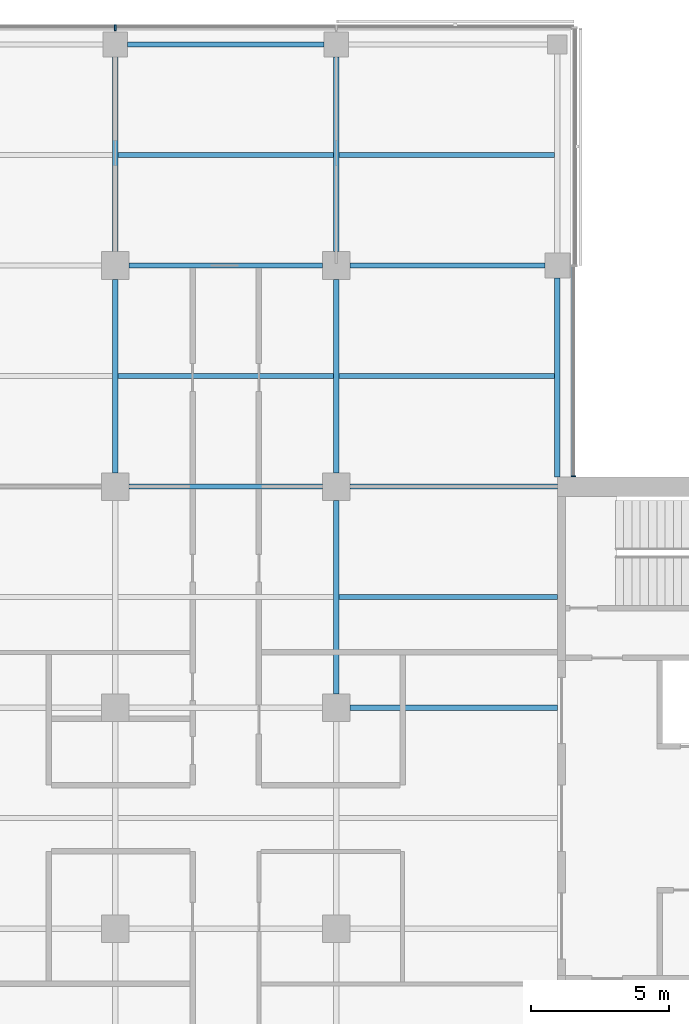
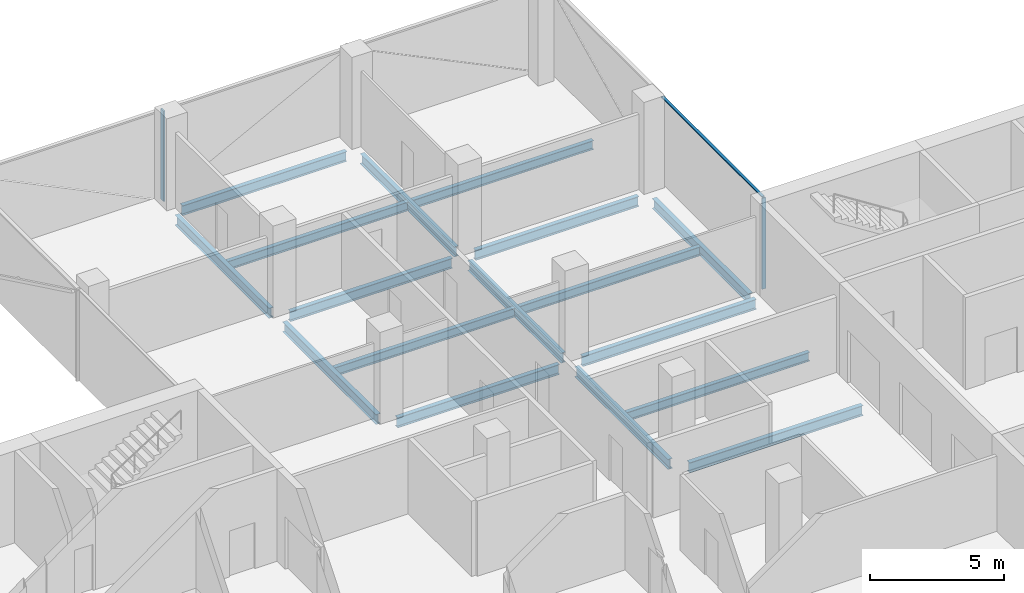
# One storey, part 9 of 22: 17 beams, 3 members, 2 elements without a shape of their own.
"""IFC4 building model written with IfcOpenShell, lengths in metres."""

from ifc_helpers import new_model, si_unit, direction, frame, origin, origin_2d, place, context, subcontext, project, spatial, rectangle, i_section, extrude, material, material_profile, profile_set, type_object, element, aggregate, save


model = new_model("IFC4")

# Units and contexts
model_context = context("Model", 3, precision=1e-05, world=origin(), true_north=direction((0.0, 1.0)))
body_context = subcontext(model_context, "Body", "Model", "MODEL_VIEW")
ifc_project = project(units=[si_unit("LENGTHUNIT", "METRE"), si_unit("AREAUNIT", "SQUARE_METRE"), si_unit("VOLUMEUNIT", "CUBIC_METRE"), si_unit("PLANEANGLEUNIT", "RADIAN"), si_unit("MASSUNIT", "GRAM", prefix="KILO")], contexts=[model_context])

# Site, building, storey
site_placement = place(None, origin())
site = spatial("IfcSite", under=ifc_project, at=site_placement, CompositionType="ELEMENT")
building_placement = place(site_placement, origin())
building = spatial("IfcBuilding", under=site, at=building_placement, Name="Crosswind Convention Tower", CompositionType="ELEMENT")
storey_placement = place(building_placement, frame((0.0, 0.0, 129.5)))
storey = spatial("IfcBuildingStorey", under=building, at=storey_placement, Name="L26", CompositionType="ELEMENT", Elevation=129.5)

# Beams
ifc_material_1 = material(Name="Steel S355", Category="steel")
ifc_material_profile_1 = material_profile(ifc_material_1, i_section(OverallWidth=0.18994140625, OverallDepth=0.45361328125, WebThickness=0.008544921875, FlangeThickness=0.0126953125, FilletRadius=0.01025390625, at=origin_2d()), Name="UB 457x191x67")
ifc_profile_set_1 = profile_set([ifc_material_profile_1], Name="Steel S355")
beam_type_1 = type_object("IfcBeamType", Name="Edge beam UB 457x191x67", PredefinedType="SPANDREL", material=ifc_profile_set_1)
beam_1_placement = place(storey_placement, frame((121.449951171875, 128.0, -0.52685546875), z_axis=(1.0, 0.0, 0.0), x_axis=(0.0, 1.0, 0.0)))
element("IfcBeam", 1, at=beam_1_placement, inside=storey, type_object=beam_type_1, Name="B16 L26 edge beam 13", PredefinedType="SPANDREL", context=body_context, shape_type="SweptSolid", body=[
    extrude(i_section(OverallWidth=0.18994140625, OverallDepth=0.45361328125, WebThickness=0.008544921875, FlangeThickness=0.0126953125, FilletRadius=0.01025390625, at=origin_2d()), origin(), (0.0, 0.0, 1.0), 7.10009765625),
])
beam_2_placement = place(storey_placement, frame((137.0, 112.35009765625, -0.52685546875), z_axis=(0.0, 1.0, 0.0), x_axis=(-1.0, 0.0, 0.0)))
element("IfcBeam", 2, at=beam_2_placement, inside=storey, type_object=beam_type_1, Name="B16 L26 edge beam 18", PredefinedType="SPANDREL", context=body_context, shape_type="SweptSolid", body=[
    extrude(i_section(OverallWidth=0.18994140625, OverallDepth=0.45361328125, WebThickness=0.008544921875, FlangeThickness=0.0126953125, FilletRadius=0.01025390625, at=origin_2d()), origin(), (0.0, 0.0, 1.0), 7.199951171875),
])
ifc_material_profile_2 = material_profile(ifc_material_1, i_section(OverallWidth=0.19140625, OverallDepth=0.460205078125, WebThickness=0.010009765625, FlangeThickness=0.01611328125, FilletRadius=0.01025390625, at=origin_2d()), Name="UB 457x191x82")
ifc_profile_set_2 = profile_set([ifc_material_profile_2], Name="Steel S355")
beam_type_2 = type_object("IfcBeamType", Name="Girder UB 457x191x82", PredefinedType="BEAM", material=ifc_profile_set_2)
beam_3_placement = place(storey_placement, frame((121.0, 112.5, -0.530029296875), z_axis=(0.0, 1.0, 0.0), x_axis=(-1.0, 0.0, 0.0)))
element("IfcBeam", 3, at=beam_3_placement, inside=storey, type_object=beam_type_2, Name="B3 L26 girder 8", PredefinedType="BEAM", context=body_context, shape_type="SweptSolid", body=[
    extrude(i_section(OverallWidth=0.19140625, OverallDepth=0.460205078125, WebThickness=0.010009765625, FlangeThickness=0.01611328125, FilletRadius=0.01025390625, at=origin_2d()), origin(), (0.0, 0.0, 1.0), 7.0),
])
beam_4_placement = place(storey_placement, frame((121.0, 120.5, -0.530029296875), z_axis=(0.0, 1.0, 0.0), x_axis=(-1.0, 0.0, 0.0)))
element("IfcBeam", 4, at=beam_4_placement, inside=storey, type_object=beam_type_2, Name="B3 L26 girder 9", PredefinedType="BEAM", context=body_context, shape_type="SweptSolid", body=[
    extrude(i_section(OverallWidth=0.19140625, OverallDepth=0.460205078125, WebThickness=0.010009765625, FlangeThickness=0.01611328125, FilletRadius=0.01025390625, at=origin_2d()), origin(), (0.0, 0.0, 1.0), 7.050048828125),
])
for number, where, z_axis, x_axis, name in (
    (5, (121.5, 112.0, -0.530029296875), (1.0, 0.0, 0.0), (0.0, 1.0, 0.0), "B3 L26 girder 14"),
    (6, (121.5, 120.0, -0.530029296875), (1.0, 0.0, 0.0), (0.0, 1.0, 0.0), "B3 L26 girder 15"),
    (7, (129.0, 104.5, -0.530029296875), (0.0, 1.0, 0.0), (-1.0, 0.0, 0.0), "B3 L26 girder 20"),
    (8, (129.0, 112.5, -0.530029296875), (0.0, 1.0, 0.0), (-1.0, 0.0, 0.0), "B3 L26 girder 21"),
):
    element("IfcBeam", number, at=place(storey_placement, frame(where, z_axis=z_axis, x_axis=x_axis)), inside=storey, type_object=beam_type_2, Name=name, PredefinedType="BEAM", context=body_context, shape_type="SweptSolid", body=[
        extrude(i_section(OverallWidth=0.19140625, OverallDepth=0.460205078125, WebThickness=0.010009765625, FlangeThickness=0.01611328125, FilletRadius=0.01025390625, at=origin_2d()), origin(), (0.0, 0.0, 1.0), 7.0),
    ])
for number, where, z_axis, x_axis, name in (
    (9, (129.0, 120.5, -0.530029296875), (0.0, 1.0, 0.0), (-1.0, 0.0, 0.0), "B3 L26 girder 22"),
    (10, (129.5, 120.0, -0.530029296875), (1.0, 0.0, 0.0), (0.0, 1.0, 0.0), "B3 L26 girder 24"),
):
    element("IfcBeam", number, at=place(storey_placement, frame(where, z_axis=z_axis, x_axis=x_axis)), inside=storey, type_object=beam_type_2, Name=name, PredefinedType="BEAM", context=body_context, shape_type="SweptSolid", body=[
        extrude(i_section(OverallWidth=0.19140625, OverallDepth=0.460205078125, WebThickness=0.010009765625, FlangeThickness=0.01611328125, FilletRadius=0.01025390625, at=origin_2d()), origin(), (0.0, 0.0, 1.0), 7.050048828125),
    ])
ifc_material_profile_3 = material_profile(ifc_material_1, i_section(OverallWidth=0.19189453125, OverallDepth=0.463623046875, WebThickness=0.010498046875, FlangeThickness=0.017578125, FilletRadius=0.01025390625, at=origin_2d()), Name="UB 457x191x90")
ifc_profile_set_3 = profile_set([ifc_material_profile_3], Name="Steel S355")
beam_type_3 = type_object("IfcBeamType", Name="Girder at core wall UB 457x191x90", PredefinedType="BEAM", material=ifc_profile_set_3)
for number, where, z_axis, x_axis, name in (
    (11, (129.5, 104.0, -0.53173828125), (1.0, 0.0, 0.0), (0.0, 1.0, 0.0), "B24 L26 girder at core wall 9"),
    (12, (129.5, 112.0, -0.53173828125), (1.0, 0.0, 0.0), (0.0, 1.0, 0.0), "B24 L26 girder at core wall 10"),
):
    element("IfcBeam", number, at=place(storey_placement, frame(where, z_axis=z_axis, x_axis=x_axis)), inside=storey, type_object=beam_type_3, Name=name, PredefinedType="BEAM", context=body_context, shape_type="SweptSolid", body=[
        extrude(i_section(OverallWidth=0.19189453125, OverallDepth=0.463623046875, WebThickness=0.010498046875, FlangeThickness=0.017578125, FilletRadius=0.01025390625, at=origin_2d()), origin(), (0.0, 0.0, 1.0), 7.5),
    ])

# Curtain wall, member
ifc_material_2 = material(Name="Aluminium unitised curtain wall", Category="aluminium")
curtain_wall_type_1 = type_object("IfcCurtainWallType", Name="CORE END SLOT WALL 160", PredefinedType="USERDEFINED", material=ifc_material_2)
curtain_wall_1_placement = place(storey_placement, origin())
curtain_wall_1 = element("IfcCurtainWall", 13, at=curtain_wall_1_placement, inside=storey, type_object=curtain_wall_type_1, Name="CW6 L26 N-E.1-1 slot", ObjectType="UNITISED", PredefinedType="USERDEFINED")
ifc_material_3 = material(Name="Aluminium mullion", Category="aluminium")
ifc_material_profile_4 = material_profile(ifc_material_3, rectangle(XDim=0.159912109375, YDim=0.050048828125, at=origin_2d()), Name="AL 160X50")
ifc_profile_set_4 = profile_set([ifc_material_profile_4], Name="Aluminium mullion")
member_type_1 = type_object("IfcMemberType", Name="MULLION 50X160", PredefinedType="MULLION", material=ifc_profile_set_4)
member_1_placement = place(storey_placement, frame((137.580078125, 112.375, -0.300048828125), z_axis=(0.0, 0.0, 1.0), x_axis=(1.0, 0.0, 0.0)))
member_1 = element("IfcMember", 14, at=member_1_placement, type_object=member_type_1, Name="CW6 mullion 1", PredefinedType="MULLION", context=body_context, shape_type="SweptSolid", body=[
    extrude(rectangle(XDim=0.159912109375, YDim=0.050048828125, at=origin_2d()), origin(), (0.0, 0.0, 1.0), 4.150146484375),
])

curtain_wall_type_2 = type_object("IfcCurtainWallType", Name="OFFICE UNITISED WALL 220", PredefinedType="USERDEFINED", material=ifc_material_2)
curtain_wall_2_placement = place(storey_placement, origin())
curtain_wall_2 = element("IfcCurtainWall", 15, at=curtain_wall_2_placement, inside=storey, type_object=curtain_wall_type_2, Name="CW3 L26 N-TIP 1", ObjectType="UNITISED", PredefinedType="USERDEFINED")
ifc_material_profile_5 = material_profile(ifc_material_3, rectangle(XDim=0.219970703125, YDim=0.070068359375, at=origin_2d()), Name="AL 220X70")
ifc_profile_set_5 = profile_set([ifc_material_profile_5], Name="Aluminium mullion")
member_type_2 = type_object("IfcMemberType", Name="MULLION 70X220", PredefinedType="MULLION", material=ifc_profile_set_5)
member_2_placement = place(storey_placement, frame((121.0, 128.610107421875, -0.300048828125), z_axis=(0.0, 0.0, 1.0), x_axis=(0.0, 1.0, 0.0)))
member_2 = element("IfcMember", 16, at=member_2_placement, type_object=member_type_2, Name="CW3 mullion 3", PredefinedType="MULLION", context=body_context, shape_type="SweptSolid", body=[
    extrude(rectangle(XDim=0.219970703125, YDim=0.070068359375, at=origin_2d()), origin(), (0.0, 0.0, 1.0), 4.130126953125),
])
aggregate(curtain_wall_2, [member_2])

# Beams
ifc_material_profile_6 = material_profile(ifc_material_1, i_section(OverallWidth=0.177734375, OverallDepth=0.406494140625, WebThickness=0.0078125, FlangeThickness=0.0126953125, FilletRadius=0.01025390625, at=origin_2d()), Name="UB 406x178x60")
ifc_profile_set_6 = profile_set([ifc_material_profile_6], Name="Steel S355")
beam_type_4 = type_object("IfcBeamType", Name="Secondary beam UB 406x178x60", PredefinedType="JOIST", material=ifc_profile_set_6)
for number, where, z_axis, x_axis, name in (
    (17, (121.095703125, 116.0, -0.503173828125), (1.0, 0.0, 0.0), (0.0, 1.0, 0.0), "B10 L26 secondary beam 16"),
    (18, (121.095703125, 124.0, -0.503173828125), (1.0, 0.0, 0.0), (0.0, 1.0, 0.0), "B10 L26 secondary beam 17"),
):
    element("IfcBeam", number, at=place(storey_placement, frame(where, z_axis=z_axis, x_axis=x_axis)), inside=storey, type_object=beam_type_4, Name=name, PredefinedType="JOIST", context=body_context, shape_type="SweptSolid", body=[
        extrude(i_section(OverallWidth=0.177734375, OverallDepth=0.406494140625, WebThickness=0.0078125, FlangeThickness=0.0126953125, FilletRadius=0.01025390625, at=origin_2d()), origin(), (0.0, 0.0, 1.0), 7.80859375),
    ])
beam_5_placement = place(storey_placement, frame((129.095703125, 108.0, -0.503173828125), z_axis=(1.0, 0.0, 0.0), x_axis=(0.0, 1.0, 0.0)))
element("IfcBeam", 19, at=beam_5_placement, inside=storey, type_object=beam_type_4, Name="B10 L26 secondary beam 22", PredefinedType="JOIST", context=body_context, shape_type="SweptSolid", body=[
    extrude(i_section(OverallWidth=0.177734375, OverallDepth=0.406494140625, WebThickness=0.0078125, FlangeThickness=0.0126953125, FilletRadius=0.01025390625, at=origin_2d()), origin(), (0.0, 0.0, 1.0), 7.904296875),
])
for number, where, z_axis, x_axis, name in (
    (20, (129.095703125, 116.0, -0.503173828125), (1.0, 0.0, 0.0), (0.0, 1.0, 0.0), "B10 L26 secondary beam 23"),
    (21, (129.095703125, 124.0, -0.503173828125), (1.0, 0.0, 0.0), (0.0, 1.0, 0.0), "B10 L26 secondary beam 24"),
):
    element("IfcBeam", number, at=place(storey_placement, frame(where, z_axis=z_axis, x_axis=x_axis)), inside=storey, type_object=beam_type_4, Name=name, PredefinedType="JOIST", context=body_context, shape_type="SweptSolid", body=[
        extrude(i_section(OverallWidth=0.177734375, OverallDepth=0.406494140625, WebThickness=0.0078125, FlangeThickness=0.0126953125, FilletRadius=0.01025390625, at=origin_2d()), origin(), (0.0, 0.0, 1.0), 7.809326171875),
    ])

# Member
ifc_material_4 = material(Name="Aluminium transom", Category="aluminium")
ifc_material_profile_7 = material_profile(ifc_material_4, rectangle(XDim=0.1201171875, YDim=0.050048828125, at=origin_2d()), Name="AL 120X50")
ifc_profile_set_7 = profile_set([ifc_material_profile_7], Name="Aluminium transom")
member_type_3 = type_object("IfcMemberType", Name="TRANSOM 50X120", PredefinedType="USERDEFINED", material=ifc_profile_set_7)
member_3_placement = place(storey_placement, frame((137.580078125, 112.39990234375, 3.875), z_axis=(0.0, 1.0, 0.0), x_axis=(-1.0, 0.0, 0.0)))
member_3 = element("IfcMember", 22, at=member_3_placement, type_object=member_type_3, Name="CW6 transom", ObjectType="TRANSOM", PredefinedType="USERDEFINED", context=body_context, shape_type="SweptSolid", body=[
    extrude(rectangle(XDim=0.1201171875, YDim=0.050048828125, at=origin_2d()), origin(), (0.0, 0.0, 1.0), 7.550048828125),
])

aggregate(curtain_wall_1, [member_1, member_3])

save(model, "model.ifc")
